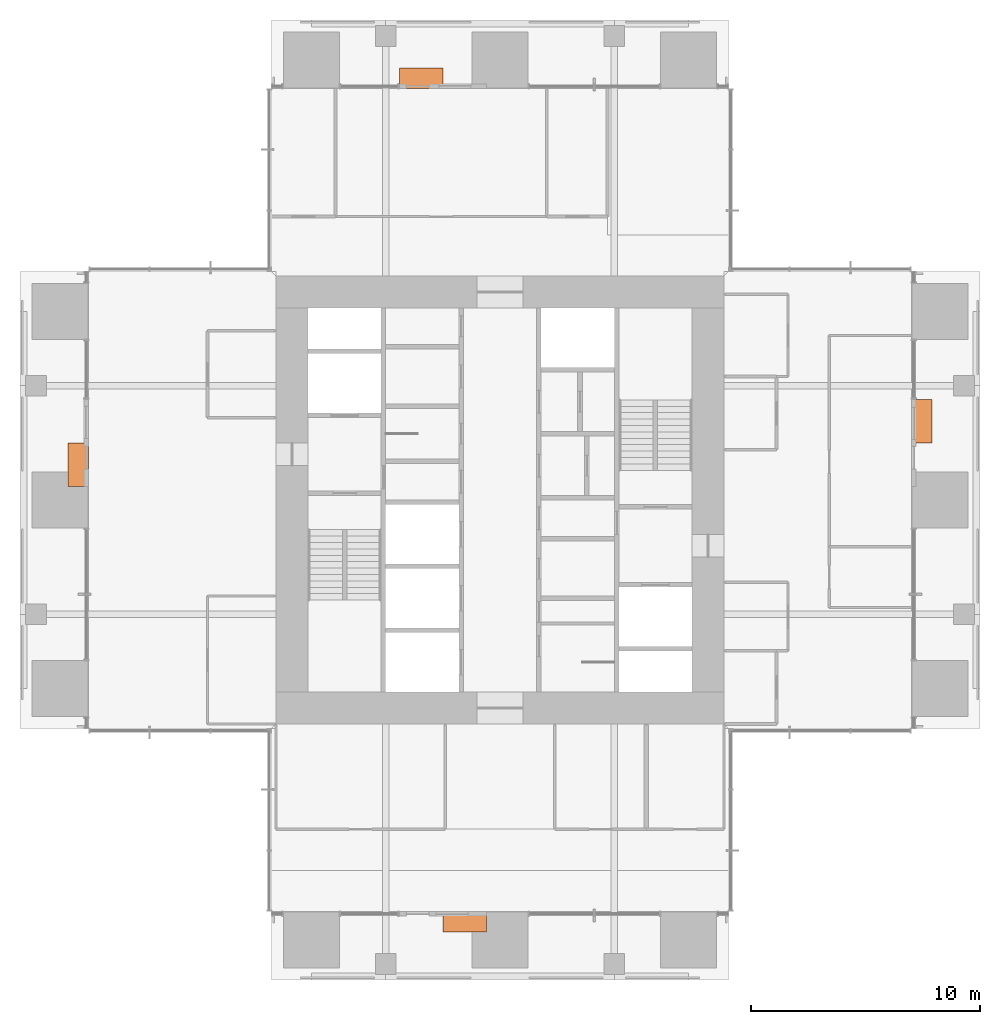
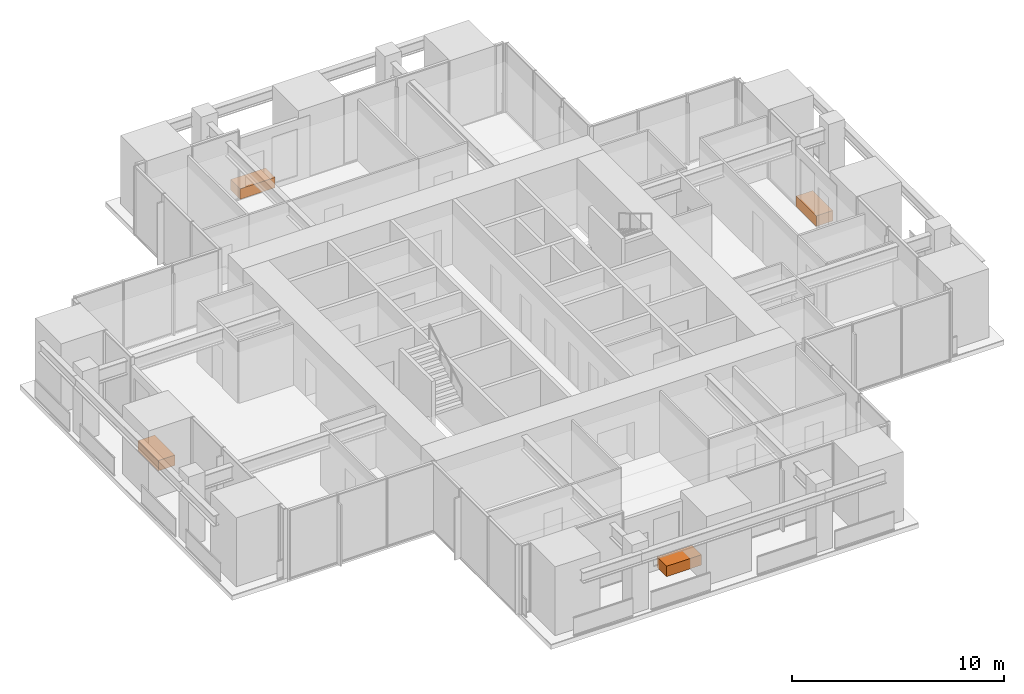
# One storey, part 17 of 17: 4 proxies.
"""IFC4 building model written with IfcOpenShell, lengths in metres."""

from ifc_helpers import new_model, si_unit, direction, frame, origin, origin_2d, place, context, subcontext, project, spatial, rectangle, extrude, element, save


model = new_model("IFC4")

# Units and contexts
model_context = context("Model", 3, precision=1e-05, world=origin(), true_north=direction((0.0, 1.0)))
body_context = subcontext(model_context, "Body", "Model", "MODEL_VIEW")
ifc_project = project(units=[si_unit("LENGTHUNIT", "METRE"), si_unit("AREAUNIT", "SQUARE_METRE"), si_unit("VOLUMEUNIT", "CUBIC_METRE"), si_unit("PLANEANGLEUNIT", "RADIAN"), si_unit("MASSUNIT", "GRAM", prefix="KILO")], contexts=[model_context])

# Site, building, storey
site_placement = place(None, origin())
site = spatial("IfcSite", under=ifc_project, at=site_placement, CompositionType="ELEMENT")
building_placement = place(site_placement, origin())
building = spatial("IfcBuilding", under=site, at=building_placement, Name="Svetlomir Tower", CompositionType="ELEMENT")
storey_placement = place(building_placement, frame((0.0, 0.0, 230.5)))
storey = spatial("IfcBuildingStorey", under=building, at=storey_placement, Name="L55", CompositionType="ELEMENT", Elevation=230.5)

# Proxies
proxy_1_placement = place(storey_placement, frame((19.449951171875, 2.550048828125, 0.0400390625), z_axis=(0.0, 0.0, 1.0), x_axis=(1.0, 0.0, 0.0)))
element("IfcBuildingElementProxy", 1, at=proxy_1_placement, inside=storey, Name="Tree planter S L55", ObjectType="PLANTER", PredefinedType="USERDEFINED", context=body_context, shape_type="SweptSolid", body=[
    extrude(rectangle(XDim=1.89990234375, YDim=0.89990234375, at=origin_2d()), origin(), (0.0, 0.0, 1.0), 0.60009765625),
])
proxy_2_placement = place(storey_placement, frame((39.449951171875, 24.449951171875, 0.0400390625), z_axis=(0.0, 0.0, 1.0), x_axis=(1.0, 0.0, 0.0)))
element("IfcBuildingElementProxy", 2, at=proxy_2_placement, inside=storey, Name="Tree planter E L55", ObjectType="PLANTER", PredefinedType="USERDEFINED", context=body_context, shape_type="SweptSolid", body=[
    extrude(rectangle(XDim=0.89990234375, YDim=1.89990234375, at=origin_2d()), origin(), (0.0, 0.0, 1.0), 0.60009765625),
])
proxy_3_placement = place(storey_placement, frame((17.550048828125, 39.449951171875, 0.0400390625), z_axis=(0.0, 0.0, 1.0), x_axis=(1.0, 0.0, 0.0)))
element("IfcBuildingElementProxy", 3, at=proxy_3_placement, inside=storey, Name="Tree planter N L55", ObjectType="PLANTER", PredefinedType="USERDEFINED", context=body_context, shape_type="SweptSolid", body=[
    extrude(rectangle(XDim=1.89990234375, YDim=0.89990234375, at=origin_2d()), origin(), (0.0, 0.0, 1.0), 0.60009765625),
])
proxy_4_placement = place(storey_placement, frame((2.550048828125, 22.550048828125, 0.0400390625), z_axis=(0.0, 0.0, 1.0), x_axis=(1.0, 0.0, 0.0)))
element("IfcBuildingElementProxy", 4, at=proxy_4_placement, inside=storey, Name="Tree planter W L55", ObjectType="PLANTER", PredefinedType="USERDEFINED", context=body_context, shape_type="SweptSolid", body=[
    extrude(rectangle(XDim=0.89990234375, YDim=1.89990234375, at=origin_2d()), origin(), (0.0, 0.0, 1.0), 0.60009765625),
])

save(model, "model.ifc")
